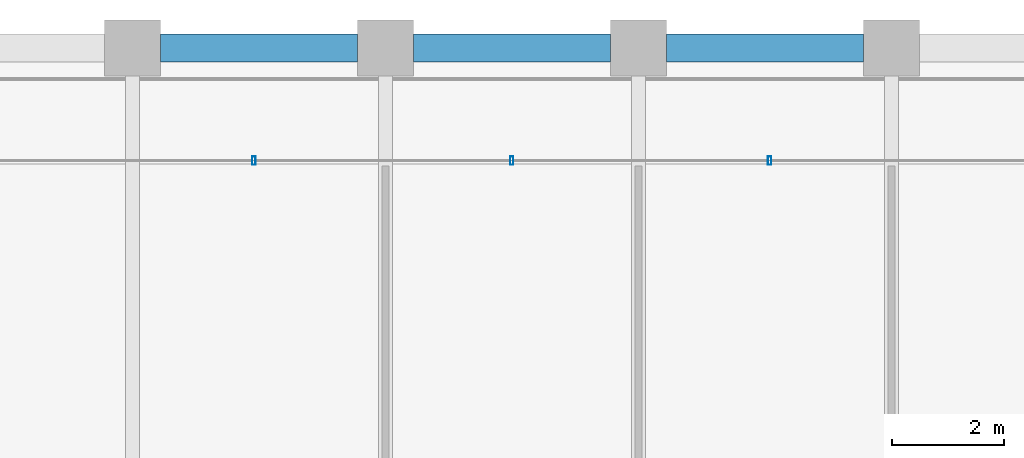
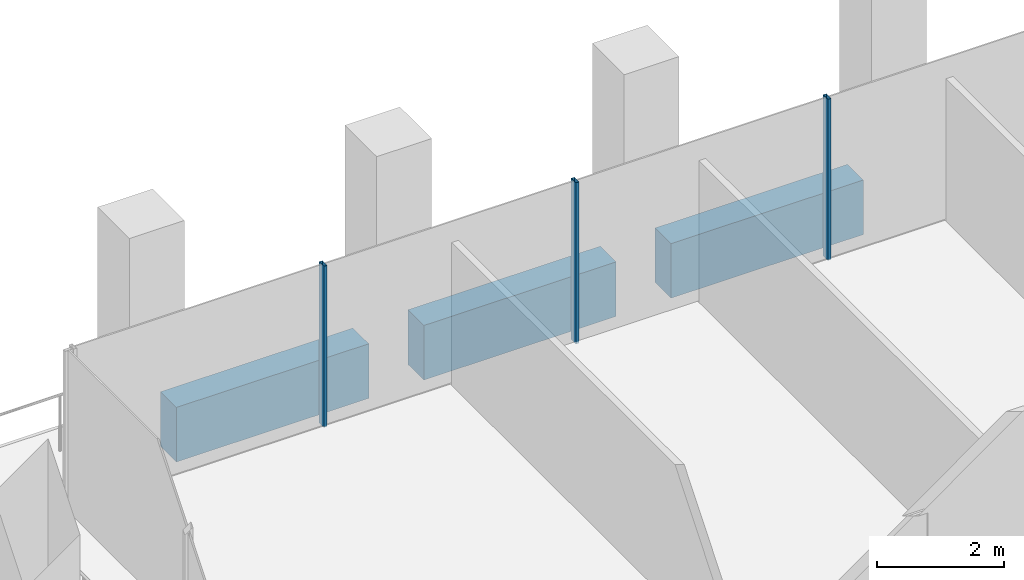
# One storey, part 23 of 46: 3 beams, 3 members, 1 element without a shape of its own.
"""IFC4 building model written with IfcOpenShell, lengths in metres."""

from ifc_helpers import new_model, si_unit, direction, frame, origin, origin_2d, place, context, subcontext, project, spatial, rectangle, hollow_rectangle, extrude, material, material_profile, profile_set, type_object, element, aggregate, save


model = new_model("IFC4")

# Units and contexts
model_context = context("Model", 3, precision=1e-05, world=origin(), true_north=direction((0.0, 1.0)))
body_context = subcontext(model_context, "Body", "Model", "MODEL_VIEW")
ifc_project = project(units=[si_unit("LENGTHUNIT", "METRE"), si_unit("AREAUNIT", "SQUARE_METRE"), si_unit("VOLUMEUNIT", "CUBIC_METRE"), si_unit("PLANEANGLEUNIT", "RADIAN"), si_unit("MASSUNIT", "GRAM", prefix="KILO")], contexts=[model_context])

# Site, building, storey
site_placement = place(None, origin())
site = spatial("IfcSite", under=ifc_project, at=site_placement, CompositionType="ELEMENT")
building_placement = place(site_placement, origin())
building = spatial("IfcBuilding", under=site, at=building_placement, Name="Altepetl Exchange Towers", CompositionType="ELEMENT")
storey_placement = place(building_placement, frame((0.0, 0.0, 124.39990234375)))
storey = spatial("IfcBuildingStorey", under=building, at=storey_placement, Name="L30", CompositionType="ELEMENT", Elevation=124.39990234375)

# Curtain wall, members
ifc_material_1 = material(Name="Aluminium 6063-T6 glazing", Category="aluminium")
curtain_wall_type = type_object("IfcCurtainWallType", Name="Loggia glazing system", PredefinedType="NOTDEFINED", material=ifc_material_1)
curtain_wall_placement = place(storey_placement, origin())
curtain_wall = element("IfcCurtainWall", 1, at=curtain_wall_placement, inside=storey, type_object=curtain_wall_type, Name="CW1 run", PredefinedType="NOTDEFINED")
ifc_material_2 = material(Name="Aluminium 6063-T6", Category="aluminium")
ifc_material_profile_1 = material_profile(ifc_material_2, hollow_rectangle(XDim=0.06005859375, YDim=0.14990234375, WallThickness=0.0029296875, at=origin_2d()), Name="Mullion 60x150 aluminium")
ifc_profile_set_1 = profile_set([ifc_material_profile_1], Name="Aluminium 6063-T6")
member_type = type_object("IfcMemberType", Name="Mullion 60x150 aluminium", PredefinedType="MULLION", material=ifc_profile_set_1)
member_1_placement = place(storey_placement, frame((56.330078125, 70.0, 0.0), z_axis=(0.0, 0.0, 1.0), x_axis=(-1.0, 0.0, 0.0)))
member_1 = element("IfcMember", 2, at=member_1_placement, type_object=member_type, Name="MU1 mullion", PredefinedType="MULLION", context=body_context, shape_type="SweptSolid", body=[
    extrude(hollow_rectangle(XDim=0.06005859375, YDim=0.14990234375, WallThickness=0.0029296875, at=origin_2d()), origin(), (0.0, 0.0, 1.0), 3.10009765625),
])
member_2_placement = place(storey_placement, frame((51.7451171875, 70.0, 0.0), z_axis=(0.0, 0.0, 1.0), x_axis=(-1.0, 0.0, 0.0)))
member_2 = element("IfcMember", 3, at=member_2_placement, type_object=member_type, Name="MU1 mullion", PredefinedType="MULLION", context=body_context, shape_type="SweptSolid", body=[
    extrude(hollow_rectangle(XDim=0.06005859375, YDim=0.14990234375, WallThickness=0.0029296875, at=origin_2d()), origin(), (0.0, 0.0, 1.0), 3.10009765625),
])
member_3_placement = place(storey_placement, frame((47.159912109375, 70.0, 0.0), z_axis=(0.0, 0.0, 1.0), x_axis=(-1.0, 0.0, 0.0)))
member_3 = element("IfcMember", 4, at=member_3_placement, type_object=member_type, Name="MU1 mullion", PredefinedType="MULLION", context=body_context, shape_type="SweptSolid", body=[
    extrude(hollow_rectangle(XDim=0.06005859375, YDim=0.14990234375, WallThickness=0.0029296875, at=origin_2d()), origin(), (0.0, 0.0, 1.0), 3.10009765625),
])
aggregate(curtain_wall, [member_1, member_2, member_3])

# Beams
ifc_material_3 = material(Name="Concrete C50/60 precast with cantera rosa facing", Category="concrete")
ifc_material_profile_2 = material_profile(ifc_material_3, rectangle(XDim=0.5, YDim=1.050048828125, at=origin_2d()), Name="500 x 1050")
ifc_profile_set_2 = profile_set([ifc_material_profile_2], Name="Concrete C50/60 precast with cantera rosa facing")
beam_type = type_object("IfcBeamType", Name="Spandrel beam 500x1050 cantera rosa", PredefinedType="SPANDREL", material=ifc_profile_set_2)
for number, where, z_axis, x_axis, name in (
    (5, (58.0, 72.0, -0.6748046875), (-1.0, 0.0, 0.0), (0.0, -1.0, 0.0), "sp:A:L30:026"),
    (6, (53.5, 72.0, -0.6748046875), (-1.0, 0.0, 0.0), (0.0, -1.0, 0.0), "sp:A:L30:027"),
    (7, (49.0, 72.0, -0.6748046875), (-1.0, 0.0, 0.0), (0.0, -1.0, 0.0), "sp:A:L30:028"),
):
    element("IfcBeam", number, at=place(storey_placement, frame(where, z_axis=z_axis, x_axis=x_axis)), inside=storey, type_object=beam_type, Name=name, PredefinedType="SPANDREL", context=body_context, shape_type="SweptSolid", body=[
        extrude(rectangle(XDim=0.5, YDim=1.050048828125, at=origin_2d()), origin(), (0.0, 0.0, 1.0), 3.5),
    ])

save(model, "model.ifc")
